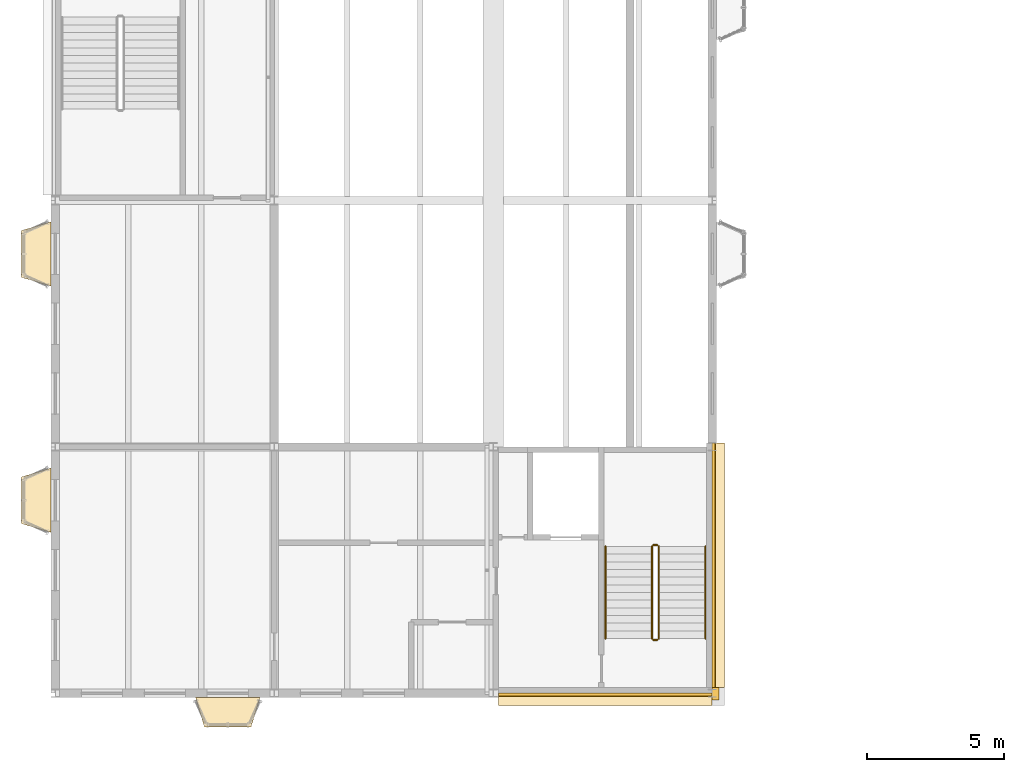
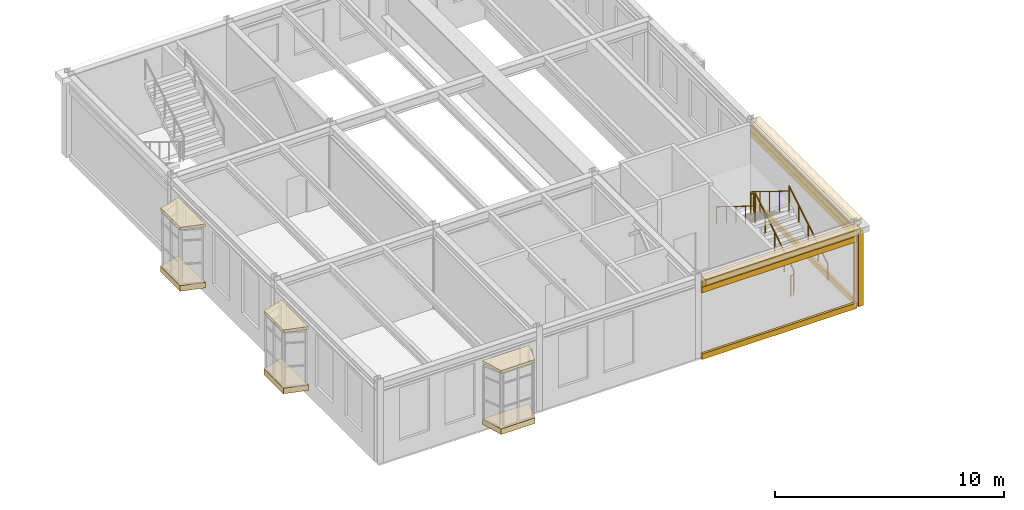
# One storey, part 129 of 153: 15 coverings, 6 railings.
"""IFC4 building model written with IfcOpenShell, lengths in metres."""

from ifc_helpers import new_model, si_unit, direction, frame, origin, origin_2d, place, context, subcontext, project, spatial, polyline, rectangle, circle, outline, extrude, material, layer, layer_set, type_object, element, save


model = new_model("IFC4")

# Units and contexts
model_context = context("Model", 3, precision=1e-05, world=origin(), true_north=direction((0.0, 1.0)))
body_context = subcontext(model_context, "Body", "Model", "MODEL_VIEW")
ifc_project = project(units=[si_unit("LENGTHUNIT", "METRE"), si_unit("AREAUNIT", "SQUARE_METRE"), si_unit("VOLUMEUNIT", "CUBIC_METRE"), si_unit("PLANEANGLEUNIT", "RADIAN"), si_unit("MASSUNIT", "GRAM", prefix="KILO")], contexts=[model_context])

# Site, building, storey
site_placement = place(None, origin())
site = spatial("IfcSite", under=ifc_project, at=site_placement, CompositionType="ELEMENT")
building_placement = place(site_placement, origin())
building = spatial("IfcBuilding", under=site, at=building_placement, Name="Kallimachos Central Library", CompositionType="ELEMENT")
storey_placement = place(building_placement, frame((0.0, 0.0, 5.39990234375)))
storey = spatial("IfcBuildingStorey", under=building, at=storey_placement, Name="L01", CompositionType="ELEMENT", Elevation=5.39990234375)

# Coverings
ifc_material_1 = material(Name="Glazed ceramic frieze, green")
ifc_layer_1 = layer(ifc_material_1, 0.10009765625)
ifc_layer_set_1 = layer_set([ifc_layer_1], Name="Glazed ceramic frieze, green")
covering_type_1 = type_object("IfcCoveringType", Name="Glazed ceramic frieze, green", PredefinedType="CLADDING", material=ifc_layer_set_1)
covering_1_placement = place(storey_placement, frame((26.094970703125, 8.949951171875, 3.68017578125), z_axis=(0.0, 0.0, 1.0), x_axis=(1.0, 0.0, 0.0)))
element("IfcCovering", 1, at=covering_1_placement, inside=storey, type_object=covering_type_1, Name="Glazed ceramic frieze, green -L01-016", PredefinedType="CLADDING", context=body_context, shape_type="SweptSolid", body=[
    extrude(rectangle(XDim=7.7900390625, YDim=0.10009765625, at=origin_2d()), origin(), (0.0, 0.0, 1.0), 0.300048828125),
])
covering_2_placement = place(storey_placement, frame((30.050048828125, 13.675048828125, 3.68017578125), z_axis=(0.0, 0.0, 1.0), x_axis=(1.0, 0.0, 0.0)))
element("IfcCovering", 2, at=covering_2_placement, inside=storey, type_object=covering_type_1, Name="Glazed ceramic frieze, green -L01-017", PredefinedType="CLADDING", context=body_context, shape_type="SweptSolid", body=[
    extrude(rectangle(XDim=0.10009765625, YDim=8.949951171875, at=origin_2d()), origin(), (0.0, 0.0, 1.0), 0.300048828125),
])
ifc_material_2 = material(Name="Glazed ceramic frieze, ochre")
ifc_layer_2 = layer(ifc_material_2, 0.10009765625)
ifc_layer_set_2 = layer_set([ifc_layer_2], Name="Glazed ceramic frieze, ochre")
covering_type_2 = type_object("IfcCoveringType", Name="Glazed ceramic frieze, ochre", PredefinedType="CLADDING", material=ifc_layer_set_2)
covering_3_placement = place(storey_placement, frame((26.094970703125, 8.949951171875, 3.3798828125), z_axis=(0.0, 0.0, 1.0), x_axis=(1.0, 0.0, 0.0)))
element("IfcCovering", 3, at=covering_3_placement, inside=storey, type_object=covering_type_2, Name="Glazed ceramic frieze, ochre -L01-016", PredefinedType="CLADDING", context=body_context, shape_type="SweptSolid", body=[
    extrude(rectangle(XDim=7.7900390625, YDim=0.10009765625, at=origin_2d()), origin(), (0.0, 0.0, 1.0), 0.300048828125),
])
covering_4_placement = place(storey_placement, frame((30.050048828125, 13.675048828125, 3.3798828125), z_axis=(0.0, 0.0, 1.0), x_axis=(1.0, 0.0, 0.0)))
element("IfcCovering", 4, at=covering_4_placement, inside=storey, type_object=covering_type_2, Name="Glazed ceramic frieze, ochre -L01-017", PredefinedType="CLADDING", context=body_context, shape_type="SweptSolid", body=[
    extrude(rectangle(XDim=0.10009765625, YDim=8.949951171875, at=origin_2d()), origin(), (0.0, 0.0, 1.0), 0.300048828125),
])

# Railings
ifc_material_3 = material(Name="Wrought iron")
railing_type_1 = type_object("IfcRailingType", Name="Stair guard", PredefinedType="GUARDRAIL", material=ifc_material_3)
railing_1_placement = place(storey_placement, frame((28.050048828125, 11.0, 0.173095703125)))
element("IfcRailing", 5, at=railing_1_placement, inside=storey, type_object=railing_type_1, Name="L01 ST17 stair guard 1", PredefinedType="GUARDRAIL", context=body_context, shape_type="SweptSolid", body=[
    extrude(circle(Radius=0.02392578125, at=origin_2d()), frame((0.0, 0.0, 1.076171875), z_axis=(0.0, 0.850623216509, 0.525775754039), x_axis=(-1.0, 0.0, 0.0)), (0.0, 0.0, 1.0), 3.9501953125),
    extrude(circle(Radius=0.02099609375, at=origin_2d()), origin(), (0.0, 0.0, 1.0), 1.052001953125),
    extrude(circle(Radius=0.02099609375, at=origin_2d()), frame((0.0, 0.840087890625, 0.519287109375)), (0.0, 0.0, 1.0), 1.052001953125),
    extrude(circle(Radius=0.02099609375, at=origin_2d()), frame((0.0, 1.68017578125, 1.03857421875)), (0.0, 0.0, 1.0), 1.052001953125),
    extrude(circle(Radius=0.02099609375, at=origin_2d()), frame((0.0, 2.52001953125, 1.5576171875)), (0.0, 0.0, 1.0), 1.052001953125),
    extrude(circle(Radius=0.02099609375, at=origin_2d()), frame((0.0, 3.360107421875, 2.076904296875)), (0.0, 0.0, 1.0), 1.052001953125),
])
railing_2_placement = place(storey_placement, frame((28.0, 14.409912109375, 2.25)))
element("IfcRailing", 6, at=railing_2_placement, inside=storey, type_object=railing_type_1, Name="L01 ST17 stair guard 2", PredefinedType="GUARDRAIL", context=body_context, shape_type="SweptSolid", body=[
    extrude(circle(Radius=0.02392578125, at=origin_2d()), frame((0.0, 0.0, 1.076171875), z_axis=(-1.0, 0.0, 0.0), x_axis=(0.0, -1.0, 0.0)), (0.0, 0.0, 1.0), 0.14990234375),
    extrude(circle(Radius=0.02099609375, at=origin_2d()), origin(), (0.0, 0.0, 1.0), 1.052001953125),
    extrude(circle(Radius=0.02099609375, at=origin_2d()), frame((-0.14990234375, 0.0, 0.0)), (0.0, 0.0, 1.0), 1.052001953125),
])
railing_3_placement = place(storey_placement, frame((27.800048828125, 14.360107421875, 2.423095703125)))
element("IfcRailing", 7, at=railing_3_placement, inside=storey, type_object=railing_type_1, Name="L01 ST17 stair guard 3", PredefinedType="GUARDRAIL", context=body_context, shape_type="SweptSolid", body=[
    extrude(circle(Radius=0.02392578125, at=origin_2d()), frame((0.0, 0.0, 1.076171875), z_axis=(0.0, -0.850623216509, 0.525775754039), x_axis=(1.0, 0.0, 0.0)), (0.0, 0.0, 1.0), 3.9501953125),
    extrude(circle(Radius=0.02099609375, at=origin_2d()), origin(), (0.0, 0.0, 1.0), 1.052001953125),
    extrude(circle(Radius=0.02099609375, at=origin_2d()), frame((0.0, -0.840087890625, 0.519287109375)), (0.0, 0.0, 1.0), 1.052001953125),
    extrude(circle(Radius=0.02099609375, at=origin_2d()), frame((0.0, -1.68017578125, 1.03857421875)), (0.0, 0.0, 1.0), 1.052001953125),
    extrude(circle(Radius=0.02099609375, at=origin_2d()), frame((0.0, -2.52001953125, 1.5576171875)), (0.0, 0.0, 1.0), 1.052001953125),
    extrude(circle(Radius=0.02099609375, at=origin_2d()), frame((0.0, -3.360107421875, 2.076904296875)), (0.0, 0.0, 1.0), 1.052001953125),
])
railing_4_placement = place(storey_placement, frame((28.0, 10.949951171875, 0.0)))
element("IfcRailing", 8, at=railing_4_placement, inside=storey, type_object=railing_type_1, Name="L01 ST17 stair guard 4", PredefinedType="GUARDRAIL", context=body_context, shape_type="SweptSolid", body=[
    extrude(circle(Radius=0.02392578125, at=origin_2d()), frame((0.0, 0.0, 1.076171875), z_axis=(-1.0, 0.0, 0.0), x_axis=(0.0, -1.0, 0.0)), (0.0, 0.0, 1.0), 0.14990234375),
    extrude(circle(Radius=0.02099609375, at=origin_2d()), origin(), (0.0, 0.0, 1.0), 1.052001953125),
    extrude(circle(Radius=0.02099609375, at=origin_2d()), frame((-0.14990234375, 0.0, 0.0)), (0.0, 0.0, 1.0), 1.052001953125),
])
ifc_material_4 = material(Name="Wrought iron")
railing_type_2 = type_object("IfcRailingType", Name="Stair handrail", PredefinedType="HANDRAIL", material=ifc_material_4)
railing_5_placement = place(storey_placement, frame((29.75, 11.0, 0.173095703125)))
element("IfcRailing", 9, at=railing_5_placement, inside=storey, type_object=railing_type_2, Name="L01 ST17 stair handrail 1", PredefinedType="HANDRAIL", context=body_context, shape_type="SweptSolid", body=[
    extrude(circle(Radius=0.02392578125, at=origin_2d()), frame((0.0, 0.0, 0.8759765625), z_axis=(0.0, 0.850623216509, 0.525775754039), x_axis=(-1.0, 0.0, 0.0)), (0.0, 0.0, 1.0), 3.9501953125),
    extrude(circle(Radius=0.02099609375, at=origin_2d()), origin(), (0.0, 0.0, 1.0), 0.851806640625),
    extrude(circle(Radius=0.02099609375, at=origin_2d()), frame((0.0, 0.840087890625, 0.519287109375)), (0.0, 0.0, 1.0), 0.851806640625),
    extrude(circle(Radius=0.02099609375, at=origin_2d()), frame((0.0, 1.68017578125, 1.03857421875)), (0.0, 0.0, 1.0), 0.851806640625),
    extrude(circle(Radius=0.02099609375, at=origin_2d()), frame((0.0, 2.52001953125, 1.5576171875)), (0.0, 0.0, 1.0), 0.851806640625),
    extrude(circle(Radius=0.02099609375, at=origin_2d()), frame((0.0, 3.360107421875, 2.076904296875)), (0.0, 0.0, 1.0), 0.851806640625),
])
railing_6_placement = place(storey_placement, frame((26.10009765625, 14.360107421875, 2.423095703125)))
element("IfcRailing", 10, at=railing_6_placement, inside=storey, type_object=railing_type_2, Name="L01 ST17 stair handrail 2", PredefinedType="HANDRAIL", context=body_context, shape_type="SweptSolid", body=[
    extrude(circle(Radius=0.02392578125, at=origin_2d()), frame((0.0, 0.0, 0.8759765625), z_axis=(0.0, -0.850623216509, 0.525775754039), x_axis=(1.0, 0.0, 0.0)), (0.0, 0.0, 1.0), 3.9501953125),
    extrude(circle(Radius=0.02099609375, at=origin_2d()), origin(), (0.0, 0.0, 1.0), 0.851806640625),
    extrude(circle(Radius=0.02099609375, at=origin_2d()), frame((0.0, -0.840087890625, 0.519287109375)), (0.0, 0.0, 1.0), 0.851806640625),
    extrude(circle(Radius=0.02099609375, at=origin_2d()), frame((0.0, -1.68017578125, 1.03857421875)), (0.0, 0.0, 1.0), 0.851806640625),
    extrude(circle(Radius=0.02099609375, at=origin_2d()), frame((0.0, -2.52001953125, 1.5576171875)), (0.0, 0.0, 1.0), 0.851806640625),
    extrude(circle(Radius=0.02099609375, at=origin_2d()), frame((0.0, -3.360107421875, 2.076904296875)), (0.0, 0.0, 1.0), 0.851806640625),
])

# Coverings
ifc_material_5 = material(Name="Pentelic marble attic moulding", Category="masonry")
ifc_layer_3 = layer(ifc_material_5, 0.1201171875)
ifc_layer_set_3 = layer_set([ifc_layer_3], Name="Stone attic moulding 300")
covering_type_3 = type_object("IfcCoveringType", Name="Stone attic moulding 300", PredefinedType="MOLDING", material=ifc_layer_set_3)
covering_5_placement = place(storey_placement, frame((26.094970703125, 8.93994140625, -0.14990234375), z_axis=(0.0, 0.0, 1.0), x_axis=(1.0, 0.0, 0.0)))
element("IfcCovering", 11, at=covering_5_placement, inside=storey, type_object=covering_type_3, Name="Stone attic moulding 300 -L01-016", PredefinedType="MOLDING", context=body_context, shape_type="SweptSolid", body=[
    extrude(rectangle(XDim=7.7900390625, YDim=0.1201171875, at=origin_2d()), origin(), (0.0, 0.0, 1.0), 0.300048828125),
])
covering_6_placement = place(storey_placement, frame((30.06005859375, 13.675048828125, -0.14990234375), z_axis=(0.0, 0.0, 1.0), x_axis=(1.0, 0.0, 0.0)))
element("IfcCovering", 12, at=covering_6_placement, inside=storey, type_object=covering_type_3, Name="Stone attic moulding 300 -L01-017", PredefinedType="MOLDING", context=body_context, shape_type="SweptSolid", body=[
    extrude(rectangle(XDim=0.1201171875, YDim=8.949951171875, at=origin_2d()), origin(), (0.0, 0.0, 1.0), 0.300048828125),
])
ifc_material_6 = material(Name="Pentelic marble cornice", Category="masonry")
ifc_layer_4 = layer(ifc_material_6, 0.449951171875)
ifc_layer_set_4 = layer_set([ifc_layer_4], Name="Stone cornice 450")
covering_type_4 = type_object("IfcCoveringType", Name="Stone cornice 450", PredefinedType="MOLDING", material=ifc_layer_set_4)
covering_7_placement = place(storey_placement, frame((26.094970703125, 8.77490234375, 4.0), z_axis=(0.0, 0.0, 1.0), x_axis=(1.0, 0.0, 0.0)))
element("IfcCovering", 13, at=covering_7_placement, inside=storey, type_object=covering_type_4, Name="Stone cornice 450 -L01-016", PredefinedType="MOLDING", context=body_context, shape_type="SweptSolid", body=[
    extrude(rectangle(XDim=7.7900390625, YDim=0.449951171875, at=origin_2d()), origin(), (0.0, 0.0, 1.0), 0.300048828125),
])
covering_8_placement = place(storey_placement, frame((30.22509765625, 13.675048828125, 4.0), z_axis=(0.0, 0.0, 1.0), x_axis=(1.0, 0.0, 0.0)))
element("IfcCovering", 14, at=covering_8_placement, inside=storey, type_object=covering_type_4, Name="Stone cornice 450 -L01-017", PredefinedType="MOLDING", context=body_context, shape_type="SweptSolid", body=[
    extrude(rectangle(XDim=0.449951171875, YDim=8.949951171875, at=origin_2d()), origin(), (0.0, 0.0, 1.0), 0.300048828125),
])
ifc_material_7 = material(Name="Pentelic marble pilaster", Category="masonry")
ifc_layer_5 = layer(ifc_material_7, 0.25)
ifc_layer_set_5 = layer_set([ifc_layer_5], Name="Stone pilaster 250")
covering_type_5 = type_object("IfcCoveringType", Name="Stone pilaster 250", PredefinedType="CLADDING", material=ifc_layer_set_5)
covering_9_placement = place(storey_placement, frame((30.1201171875, 8.97509765625, 0.0), z_axis=(0.0, 0.0, 1.0), x_axis=(1.0, 0.0, 0.0)))
element("IfcCovering", 15, at=covering_9_placement, inside=storey, type_object=covering_type_5, Name="Stone pilaster 250 corner", PredefinedType="CLADDING", context=body_context, shape_type="SweptSolid", body=[
    extrude(rectangle(XDim=0.260009765625, YDim=0.449951171875, at=origin_2d()), origin(), (0.0, 0.0, 1.0), 4.0),
])
ifc_material_8 = material(Name="Lead-coated copper sheet")
ifc_layer_6 = layer(ifc_material_8, 0.14990234375)
ifc_layer_set_6 = layer_set([ifc_layer_6], Name="Tribune bay roof cap 150")
covering_type_6 = type_object("IfcCoveringType", Name="Tribune bay roof cap 150", PredefinedType="ROOFING", material=ifc_layer_set_6)
covering_10_placement = place(storey_placement, frame((0.0, 0.0, 3.550048828125)))
element("IfcCovering", 16, at=covering_10_placement, inside=storey, type_object=covering_type_6, Name="Tribune bay roof cap", PredefinedType="ROOFING", context=body_context, shape_type="SweptSolid", body=[
    extrude(outline(polyline([(5.85009765625, 23.875), (5.85009765625, 26.22509765625), (4.77001953125, 25.905029296875), (4.77001953125, 24.195068359375), (5.85009765625, 23.875)])), origin(), (0.0, 0.0, 1.0), 0.150146484375),
])
covering_11_placement = place(storey_placement, frame((0.0, 0.0, 3.550048828125)))
element("IfcCovering", 17, at=covering_11_placement, inside=storey, type_object=covering_type_6, Name="Tribune bay roof cap", PredefinedType="ROOFING", context=body_context, shape_type="SweptSolid", body=[
    extrude(outline(polyline([(11.125, 8.85009765625), (13.47509765625, 8.85009765625), (13.155029296875, 7.77001953125), (11.445068359375, 7.77001953125), (11.125, 8.85009765625)])), origin(), (0.0, 0.0, 1.0), 0.150146484375),
])
covering_12_placement = place(storey_placement, frame((0.0, 0.0, 3.550048828125)))
element("IfcCovering", 18, at=covering_12_placement, inside=storey, type_object=covering_type_6, Name="Tribune bay roof cap", PredefinedType="ROOFING", context=body_context, shape_type="SweptSolid", body=[
    extrude(outline(polyline([(5.85009765625, 14.875), (5.85009765625, 17.22509765625), (4.77001953125, 16.905029296875), (4.77001953125, 15.195068359375), (5.85009765625, 14.875)])), origin(), (0.0, 0.0, 1.0), 0.150146484375),
])
ifc_material_9 = material(Name="Pentelic marble tribune base", Category="masonry")
ifc_layer_7 = layer(ifc_material_9, 0.300048828125)
ifc_layer_set_7 = layer_set([ifc_layer_7], Name="Tribune bay stone base 300")
covering_type_7 = type_object("IfcCoveringType", Name="Tribune bay stone base 300", PredefinedType="MOLDING", material=ifc_layer_set_7)
covering_13_placement = place(storey_placement, frame((0.0, 0.0, 0.300048828125)))
element("IfcCovering", 19, at=covering_13_placement, inside=storey, type_object=covering_type_7, Name="Tribune bay base", PredefinedType="MOLDING", context=body_context, shape_type="SweptSolid", body=[
    extrude(outline(polyline([(5.85009765625, 23.875), (5.85009765625, 26.22509765625), (4.77001953125, 25.905029296875), (4.77001953125, 24.195068359375), (5.85009765625, 23.875)])), origin(), (0.0, 0.0, 1.0), 0.300048828125),
])
covering_14_placement = place(storey_placement, frame((0.0, 0.0, 0.300048828125)))
element("IfcCovering", 20, at=covering_14_placement, inside=storey, type_object=covering_type_7, Name="Tribune bay base", PredefinedType="MOLDING", context=body_context, shape_type="SweptSolid", body=[
    extrude(outline(polyline([(11.125, 8.85009765625), (13.47509765625, 8.85009765625), (13.155029296875, 7.77001953125), (11.445068359375, 7.77001953125), (11.125, 8.85009765625)])), origin(), (0.0, 0.0, 1.0), 0.300048828125),
])
covering_15_placement = place(storey_placement, frame((0.0, 0.0, 0.300048828125)))
element("IfcCovering", 21, at=covering_15_placement, inside=storey, type_object=covering_type_7, Name="Tribune bay base", PredefinedType="MOLDING", context=body_context, shape_type="SweptSolid", body=[
    extrude(outline(polyline([(5.85009765625, 14.875), (5.85009765625, 17.22509765625), (4.77001953125, 16.905029296875), (4.77001953125, 15.195068359375), (5.85009765625, 14.875)])), origin(), (0.0, 0.0, 1.0), 0.300048828125),
])

save(model, "model.ifc")
